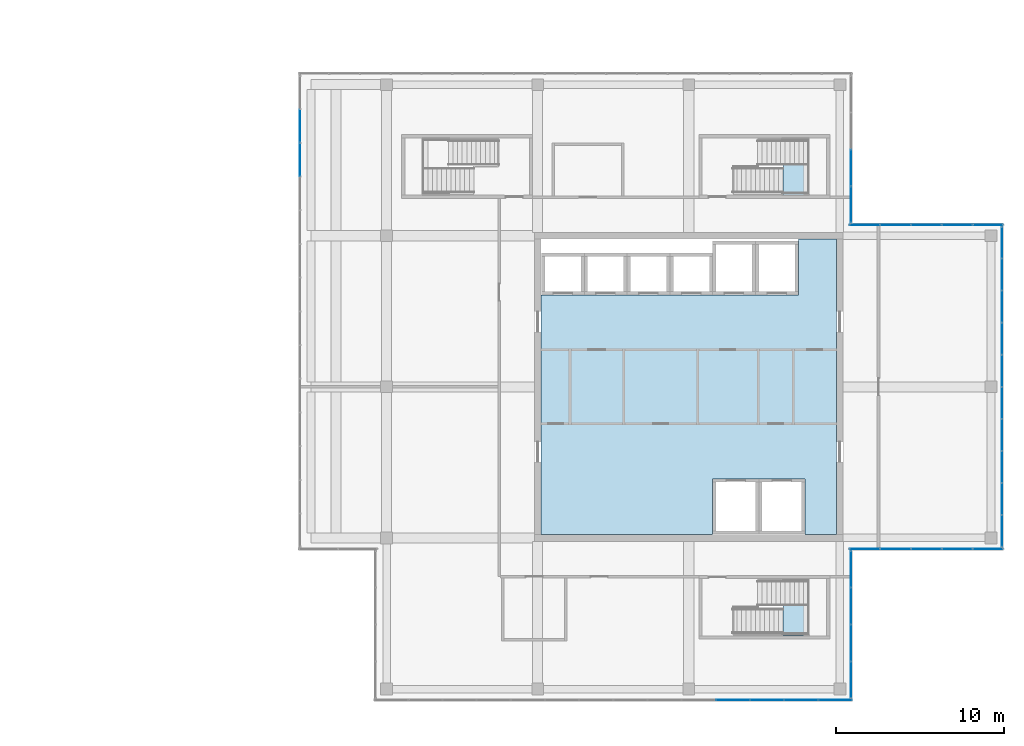
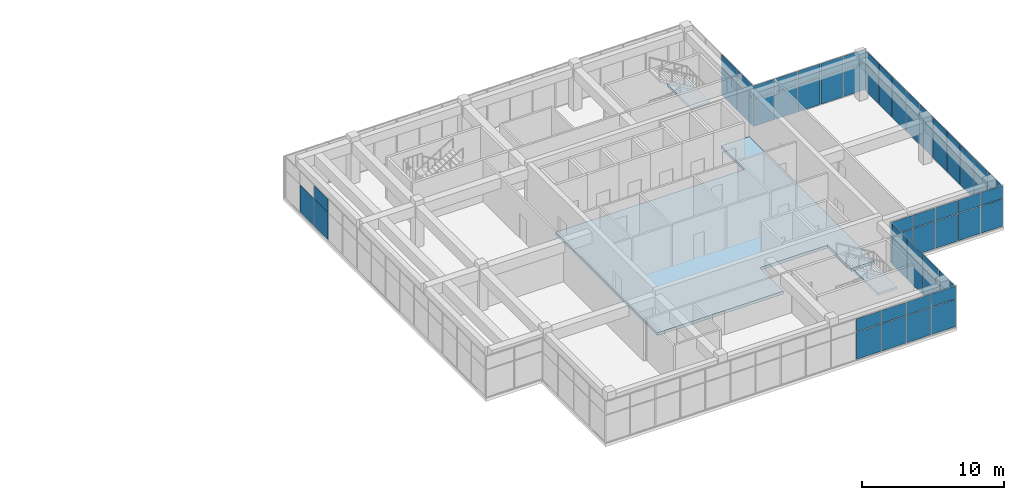
# One storey, part 27 of 32: 63 plates, 3 slabs, 9 elements without a shape of their own.
"""IFC4 building model written with IfcOpenShell, lengths in metres."""

from ifc_helpers import new_model, si_unit, direction, frame, origin, origin_2d, place, context, subcontext, project, spatial, polyline, rectangle, outline, extrude, material, layer, layer_set, type_object, element, aggregate, save


model = new_model("IFC4")

# Units and contexts
model_context = context("Model", 3, precision=1e-05, world=origin(), true_north=direction((0.0, 1.0)))
body_context = subcontext(model_context, "Body", "Model", "MODEL_VIEW")
ifc_project = project(units=[si_unit("LENGTHUNIT", "METRE"), si_unit("AREAUNIT", "SQUARE_METRE"), si_unit("VOLUMEUNIT", "CUBIC_METRE"), si_unit("PLANEANGLEUNIT", "RADIAN"), si_unit("MASSUNIT", "GRAM", prefix="KILO")], contexts=[model_context])

# Site, building, storey
site_placement = place(None, origin())
site = spatial("IfcSite", under=ifc_project, at=site_placement, CompositionType="ELEMENT")
building_placement = place(site_placement, origin())
building = spatial("IfcBuilding", under=site, at=building_placement, Name="Tuart Plaza Theatre", CompositionType="ELEMENT")
storey_placement = place(building_placement, frame((0.0, 0.0, 37.5)))
storey = spatial("IfcBuildingStorey", under=building, at=storey_placement, Name="L09", CompositionType="ELEMENT", Elevation=37.5)

# Curtain wall, plates
ifc_material_1 = material(Name="Aluminium and glass", Category="aluminium")
ifc_layer_1 = layer(ifc_material_1, 0.10009765625)
ifc_layer_set_1 = layer_set([ifc_layer_1], Name="CURTAIN WALL 2000 module")
curtain_wall_type = type_object("IfcCurtainWallType", Name="CURTAIN WALL 2000 module", PredefinedType="NOTDEFINED", material=ifc_layer_set_1)
curtain_wall_1_placement = place(storey_placement, origin())
curtain_wall_1 = element("IfcCurtainWall", 1, at=curtain_wall_1_placement, inside=storey, type_object=curtain_wall_type, Name="CW88", PredefinedType="NOTDEFINED")
ifc_material_2 = material(Name="Glass", Category="glass")
ifc_layer_2 = layer(ifc_material_2, 0.028076171875)
ifc_layer_set_2 = layer_set([ifc_layer_2], Name="CURTAIN PANEL double glazed 28")
plate_type_1 = type_object("IfcPlateType", Name="CURTAIN PANEL double glazed 28", PredefinedType="CURTAIN_PANEL", material=ifc_layer_set_2)
plate_1_placement = place(storey_placement, frame((134.625, 55.35009765625, 0.0498046875), z_axis=(0.0, 0.0, 1.0), x_axis=(1.0, 0.0, 0.0)))
plate_1 = element("IfcPlate", 2, at=plate_1_placement, type_object=plate_type_1, Name="CW88 panel 11.1", PredefinedType="CURTAIN_PANEL", context=body_context, shape_type="SweptSolid", body=[
    extrude(rectangle(XDim=1.985595703125, YDim=0.028076171875, at=origin_2d()), origin(), (0.0, 0.0, 1.0), 2.324951171875),
])
plate_2_placement = place(storey_placement, frame((134.625, 55.35009765625, 2.425048828125), z_axis=(0.0, 0.0, 1.0), x_axis=(1.0, 0.0, 0.0)))
plate_2 = element("IfcPlate", 3, at=plate_2_placement, type_object=plate_type_1, Name="CW88 panel 11.2", PredefinedType="CURTAIN_PANEL", context=body_context, shape_type="SweptSolid", body=[
    extrude(rectangle(XDim=1.985595703125, YDim=0.028076171875, at=origin_2d()), origin(), (0.0, 0.0, 1.0), 1.10498046875),
])
plate_3_placement = place(storey_placement, frame((136.66064453125, 55.35009765625, 0.0498046875), z_axis=(0.0, 0.0, 1.0), x_axis=(1.0, 0.0, 0.0)))
plate_3 = element("IfcPlate", 4, at=plate_3_placement, type_object=plate_type_1, Name="CW88 panel 12.1", PredefinedType="CURTAIN_PANEL", context=body_context, shape_type="SweptSolid", body=[
    extrude(rectangle(XDim=1.985595703125, YDim=0.028076171875, at=origin_2d()), origin(), (0.0, 0.0, 1.0), 2.324951171875),
])
plate_4_placement = place(storey_placement, frame((136.66064453125, 55.35009765625, 2.425048828125), z_axis=(0.0, 0.0, 1.0), x_axis=(1.0, 0.0, 0.0)))
plate_4 = element("IfcPlate", 5, at=plate_4_placement, type_object=plate_type_1, Name="CW88 panel 12.2", PredefinedType="CURTAIN_PANEL", context=body_context, shape_type="SweptSolid", body=[
    extrude(rectangle(XDim=1.985595703125, YDim=0.028076171875, at=origin_2d()), origin(), (0.0, 0.0, 1.0), 1.10498046875),
])
plate_5_placement = place(storey_placement, frame((138.696533203125, 55.35009765625, 0.0498046875), z_axis=(0.0, 0.0, 1.0), x_axis=(1.0, 0.0, 0.0)))
plate_5 = element("IfcPlate", 6, at=plate_5_placement, type_object=plate_type_1, Name="CW88 panel 13.1", PredefinedType="CURTAIN_PANEL", context=body_context, shape_type="SweptSolid", body=[
    extrude(rectangle(XDim=1.985595703125, YDim=0.028076171875, at=origin_2d()), origin(), (0.0, 0.0, 1.0), 2.324951171875),
])
plate_6_placement = place(storey_placement, frame((138.696533203125, 55.35009765625, 2.425048828125), z_axis=(0.0, 0.0, 1.0), x_axis=(1.0, 0.0, 0.0)))
plate_6 = element("IfcPlate", 7, at=plate_6_placement, type_object=plate_type_1, Name="CW88 panel 13.2", PredefinedType="CURTAIN_PANEL", context=body_context, shape_type="SweptSolid", body=[
    extrude(rectangle(XDim=1.985595703125, YDim=0.028076171875, at=origin_2d()), origin(), (0.0, 0.0, 1.0), 1.10498046875),
])
plate_7_placement = place(storey_placement, frame((140.7197265625, 55.35009765625, 0.0498046875), z_axis=(0.0, 0.0, 1.0), x_axis=(1.0, 0.0, 0.0)))
plate_7 = element("IfcPlate", 8, at=plate_7_placement, type_object=plate_type_1, Name="CW88 panel 14.1", PredefinedType="CURTAIN_PANEL", context=body_context, shape_type="SweptSolid", body=[
    extrude(rectangle(XDim=1.960693359375, YDim=0.028076171875, at=origin_2d()), origin(), (0.0, 0.0, 1.0), 2.324951171875),
])
plate_8_placement = place(storey_placement, frame((140.7197265625, 55.35009765625, 2.425048828125), z_axis=(0.0, 0.0, 1.0), x_axis=(1.0, 0.0, 0.0)))
plate_8 = element("IfcPlate", 9, at=plate_8_placement, type_object=plate_type_1, Name="CW88 panel 14.2", PredefinedType="CURTAIN_PANEL", context=body_context, shape_type="SweptSolid", body=[
    extrude(rectangle(XDim=1.960693359375, YDim=0.028076171875, at=origin_2d()), origin(), (0.0, 0.0, 1.0), 1.10498046875),
])
aggregate(curtain_wall_1, [plate_1, plate_2, plate_3, plate_4, plate_5, plate_6, plate_7, plate_8])

curtain_wall_2_placement = place(storey_placement, origin())
curtain_wall_2 = element("IfcCurtainWall", 10, at=curtain_wall_2_placement, inside=storey, type_object=curtain_wall_type, Name="CW90", PredefinedType="NOTDEFINED")
plate_9_placement = place(storey_placement, frame((141.64990234375, 56.5625, 0.0498046875), z_axis=(0.0, 0.0, 1.0), x_axis=(0.0, 1.0, 0.0)))
plate_9 = element("IfcPlate", 11, at=plate_9_placement, type_object=plate_type_1, Name="CW90 panel 1.1", PredefinedType="CURTAIN_PANEL", context=body_context, shape_type="SweptSolid", body=[
    extrude(rectangle(XDim=2.125, YDim=0.028076171875, at=origin_2d()), origin(), (0.0, 0.0, 1.0), 2.324951171875),
])
plate_10_placement = place(storey_placement, frame((141.64990234375, 56.5625, 2.425048828125), z_axis=(0.0, 0.0, 1.0), x_axis=(0.0, 1.0, 0.0)))
plate_10 = element("IfcPlate", 12, at=plate_10_placement, type_object=plate_type_1, Name="CW90 panel 1.2", PredefinedType="CURTAIN_PANEL", context=body_context, shape_type="SweptSolid", body=[
    extrude(rectangle(XDim=2.125, YDim=0.028076171875, at=origin_2d()), origin(), (0.0, 0.0, 1.0), 1.10498046875),
])
plate_11_placement = place(storey_placement, frame((141.64990234375, 58.75, 0.0498046875), z_axis=(0.0, 0.0, 1.0), x_axis=(0.0, 1.0, 0.0)))
plate_11 = element("IfcPlate", 13, at=plate_11_placement, type_object=plate_type_1, Name="CW90 panel 2.1", PredefinedType="CURTAIN_PANEL", context=body_context, shape_type="SweptSolid", body=[
    extrude(rectangle(XDim=2.14990234375, YDim=0.028076171875, at=origin_2d()), origin(), (0.0, 0.0, 1.0), 2.324951171875),
])
plate_12_placement = place(storey_placement, frame((141.64990234375, 58.75, 2.425048828125), z_axis=(0.0, 0.0, 1.0), x_axis=(0.0, 1.0, 0.0)))
plate_12 = element("IfcPlate", 14, at=plate_12_placement, type_object=plate_type_1, Name="CW90 panel 2.2", PredefinedType="CURTAIN_PANEL", context=body_context, shape_type="SweptSolid", body=[
    extrude(rectangle(XDim=2.14990234375, YDim=0.028076171875, at=origin_2d()), origin(), (0.0, 0.0, 1.0), 1.10498046875),
])
plate_13_placement = place(storey_placement, frame((141.64990234375, 60.949951171875, 0.0498046875), z_axis=(0.0, 0.0, 1.0), x_axis=(0.0, 1.0, 0.0)))
plate_13 = element("IfcPlate", 15, at=plate_13_placement, type_object=plate_type_1, Name="CW90 panel 3.1", PredefinedType="CURTAIN_PANEL", context=body_context, shape_type="SweptSolid", body=[
    extrude(rectangle(XDim=2.14990234375, YDim=0.028076171875, at=origin_2d()), origin(), (0.0, 0.0, 1.0), 2.324951171875),
])
plate_14_placement = place(storey_placement, frame((141.64990234375, 60.949951171875, 2.425048828125), z_axis=(0.0, 0.0, 1.0), x_axis=(0.0, 1.0, 0.0)))
plate_14 = element("IfcPlate", 16, at=plate_14_placement, type_object=plate_type_1, Name="CW90 panel 3.2", PredefinedType="CURTAIN_PANEL", context=body_context, shape_type="SweptSolid", body=[
    extrude(rectangle(XDim=2.14990234375, YDim=0.028076171875, at=origin_2d()), origin(), (0.0, 0.0, 1.0), 1.10498046875),
])
plate_15_placement = place(storey_placement, frame((141.64990234375, 63.137451171875, 0.0498046875), z_axis=(0.0, 0.0, 1.0), x_axis=(0.0, 1.0, 0.0)))
plate_15 = element("IfcPlate", 17, at=plate_15_placement, type_object=plate_type_1, Name="CW90 panel 4.1", PredefinedType="CURTAIN_PANEL", context=body_context, shape_type="SweptSolid", body=[
    extrude(rectangle(XDim=2.125, YDim=0.028076171875, at=origin_2d()), origin(), (0.0, 0.0, 1.0), 2.324951171875),
])
plate_16_placement = place(storey_placement, frame((141.64990234375, 63.137451171875, 2.425048828125), z_axis=(0.0, 0.0, 1.0), x_axis=(0.0, 1.0, 0.0)))
plate_16 = element("IfcPlate", 18, at=plate_16_placement, type_object=plate_type_1, Name="CW90 panel 4.2", PredefinedType="CURTAIN_PANEL", context=body_context, shape_type="SweptSolid", body=[
    extrude(rectangle(XDim=2.125, YDim=0.028076171875, at=origin_2d()), origin(), (0.0, 0.0, 1.0), 1.10498046875),
])
aggregate(curtain_wall_2, [plate_9, plate_10, plate_11, plate_12, plate_13, plate_14, plate_15, plate_16])

curtain_wall_3_placement = place(storey_placement, origin())
curtain_wall_3 = element("IfcCurtainWall", 19, at=curtain_wall_3_placement, inside=storey, type_object=curtain_wall_type, Name="CW91", PredefinedType="NOTDEFINED")
plate_17_placement = place(storey_placement, frame((144.31005859375, 64.35009765625, 0.0498046875), z_axis=(0.0, 0.0, 1.0), x_axis=(1.0, 0.0, 0.0)))
plate_17 = element("IfcPlate", 20, at=plate_17_placement, type_object=plate_type_1, Name="CW91 panel 2.1", PredefinedType="CURTAIN_PANEL", context=body_context, shape_type="SweptSolid", body=[
    extrude(rectangle(XDim=1.7900390625, YDim=0.028076171875, at=origin_2d()), origin(), (0.0, 0.0, 1.0), 2.324951171875),
])
plate_18_placement = place(storey_placement, frame((144.31005859375, 64.35009765625, 2.425048828125), z_axis=(0.0, 0.0, 1.0), x_axis=(1.0, 0.0, 0.0)))
plate_18 = element("IfcPlate", 21, at=plate_18_placement, type_object=plate_type_1, Name="CW91 panel 2.2", PredefinedType="CURTAIN_PANEL", context=body_context, shape_type="SweptSolid", body=[
    extrude(rectangle(XDim=1.7900390625, YDim=0.028076171875, at=origin_2d()), origin(), (0.0, 0.0, 1.0), 1.10498046875),
])
plate_19_placement = place(storey_placement, frame((146.14990234375, 64.35009765625, 0.0498046875), z_axis=(0.0, 0.0, 1.0), x_axis=(1.0, 0.0, 0.0)))
plate_19 = element("IfcPlate", 22, at=plate_19_placement, type_object=plate_type_1, Name="CW91 panel 3.1", PredefinedType="CURTAIN_PANEL", context=body_context, shape_type="SweptSolid", body=[
    extrude(rectangle(XDim=1.7900390625, YDim=0.028076171875, at=origin_2d()), origin(), (0.0, 0.0, 1.0), 2.324951171875),
])
plate_20_placement = place(storey_placement, frame((146.14990234375, 64.35009765625, 2.425048828125), z_axis=(0.0, 0.0, 1.0), x_axis=(1.0, 0.0, 0.0)))
plate_20 = element("IfcPlate", 23, at=plate_20_placement, type_object=plate_type_1, Name="CW91 panel 3.2", PredefinedType="CURTAIN_PANEL", context=body_context, shape_type="SweptSolid", body=[
    extrude(rectangle(XDim=1.7900390625, YDim=0.028076171875, at=origin_2d()), origin(), (0.0, 0.0, 1.0), 1.10498046875),
])
plate_21_placement = place(storey_placement, frame((147.989990234375, 64.35009765625, 0.0498046875), z_axis=(0.0, 0.0, 1.0), x_axis=(1.0, 0.0, 0.0)))
plate_21 = element("IfcPlate", 24, at=plate_21_placement, type_object=plate_type_1, Name="CW91 panel 4.1", PredefinedType="CURTAIN_PANEL", context=body_context, shape_type="SweptSolid", body=[
    extrude(rectangle(XDim=1.7900390625, YDim=0.028076171875, at=origin_2d()), origin(), (0.0, 0.0, 1.0), 2.324951171875),
])
plate_22_placement = place(storey_placement, frame((147.989990234375, 64.35009765625, 2.425048828125), z_axis=(0.0, 0.0, 1.0), x_axis=(1.0, 0.0, 0.0)))
plate_22 = element("IfcPlate", 25, at=plate_22_placement, type_object=plate_type_1, Name="CW91 panel 4.2", PredefinedType="CURTAIN_PANEL", context=body_context, shape_type="SweptSolid", body=[
    extrude(rectangle(XDim=1.7900390625, YDim=0.028076171875, at=origin_2d()), origin(), (0.0, 0.0, 1.0), 1.10498046875),
])
plate_23_placement = place(storey_placement, frame((149.8173828125, 64.35009765625, 0.0498046875), z_axis=(0.0, 0.0, 1.0), x_axis=(1.0, 0.0, 0.0)))
plate_23 = element("IfcPlate", 26, at=plate_23_placement, type_object=plate_type_1, Name="CW91 panel 5.1", PredefinedType="CURTAIN_PANEL", context=body_context, shape_type="SweptSolid", body=[
    extrude(rectangle(XDim=1.764892578125, YDim=0.028076171875, at=origin_2d()), origin(), (0.0, 0.0, 1.0), 2.324951171875),
])
plate_24_placement = place(storey_placement, frame((149.8173828125, 64.35009765625, 2.425048828125), z_axis=(0.0, 0.0, 1.0), x_axis=(1.0, 0.0, 0.0)))
plate_24 = element("IfcPlate", 27, at=plate_24_placement, type_object=plate_type_1, Name="CW91 panel 5.2", PredefinedType="CURTAIN_PANEL", context=body_context, shape_type="SweptSolid", body=[
    extrude(rectangle(XDim=1.764892578125, YDim=0.028076171875, at=origin_2d()), origin(), (0.0, 0.0, 1.0), 1.10498046875),
])

curtain_wall_4_placement = place(storey_placement, origin())
curtain_wall_4 = element("IfcCurtainWall", 28, at=curtain_wall_4_placement, inside=storey, type_object=curtain_wall_type, Name="CW92", PredefinedType="NOTDEFINED")
plate_25_placement = place(storey_placement, frame((150.64990234375, 65.41748046875, 0.0498046875), z_axis=(0.0, 0.0, 1.0), x_axis=(0.0, 1.0, 0.0)))
plate_25 = element("IfcPlate", 29, at=plate_25_placement, type_object=plate_type_1, Name="CW92 panel 1.1", PredefinedType="CURTAIN_PANEL", context=body_context, shape_type="SweptSolid", body=[
    extrude(rectangle(XDim=1.8349609375, YDim=0.028076171875, at=origin_2d()), origin(), (0.0, 0.0, 1.0), 2.324951171875),
])
plate_26_placement = place(storey_placement, frame((150.64990234375, 65.41748046875, 2.425048828125), z_axis=(0.0, 0.0, 1.0), x_axis=(0.0, 1.0, 0.0)))
plate_26 = element("IfcPlate", 30, at=plate_26_placement, type_object=plate_type_1, Name="CW92 panel 1.2", PredefinedType="CURTAIN_PANEL", context=body_context, shape_type="SweptSolid", body=[
    extrude(rectangle(XDim=1.8349609375, YDim=0.028076171875, at=origin_2d()), origin(), (0.0, 0.0, 1.0), 1.10498046875),
])
plate_27_placement = place(storey_placement, frame((150.64990234375, 67.31494140625, 0.0498046875), z_axis=(0.0, 0.0, 1.0), x_axis=(0.0, 1.0, 0.0)))
plate_27 = element("IfcPlate", 31, at=plate_27_placement, type_object=plate_type_1, Name="CW92 panel 2.1", PredefinedType="CURTAIN_PANEL", context=body_context, shape_type="SweptSolid", body=[
    extrude(rectangle(XDim=1.860107421875, YDim=0.028076171875, at=origin_2d()), origin(), (0.0, 0.0, 1.0), 2.324951171875),
])
plate_28_placement = place(storey_placement, frame((150.64990234375, 67.31494140625, 2.425048828125), z_axis=(0.0, 0.0, 1.0), x_axis=(0.0, 1.0, 0.0)))
plate_28 = element("IfcPlate", 32, at=plate_28_placement, type_object=plate_type_1, Name="CW92 panel 2.2", PredefinedType="CURTAIN_PANEL", context=body_context, shape_type="SweptSolid", body=[
    extrude(rectangle(XDim=1.860107421875, YDim=0.028076171875, at=origin_2d()), origin(), (0.0, 0.0, 1.0), 1.10498046875),
])
plate_29_placement = place(storey_placement, frame((150.64990234375, 69.22509765625, 0.0498046875), z_axis=(0.0, 0.0, 1.0), x_axis=(0.0, 1.0, 0.0)))
plate_29 = element("IfcPlate", 33, at=plate_29_placement, type_object=plate_type_1, Name="CW92 panel 3.1", PredefinedType="CURTAIN_PANEL", context=body_context, shape_type="SweptSolid", body=[
    extrude(rectangle(XDim=1.860107421875, YDim=0.028076171875, at=origin_2d()), origin(), (0.0, 0.0, 1.0), 2.324951171875),
])
plate_30_placement = place(storey_placement, frame((150.64990234375, 69.22509765625, 2.425048828125), z_axis=(0.0, 0.0, 1.0), x_axis=(0.0, 1.0, 0.0)))
plate_30 = element("IfcPlate", 34, at=plate_30_placement, type_object=plate_type_1, Name="CW92 panel 3.2", PredefinedType="CURTAIN_PANEL", context=body_context, shape_type="SweptSolid", body=[
    extrude(rectangle(XDim=1.860107421875, YDim=0.028076171875, at=origin_2d()), origin(), (0.0, 0.0, 1.0), 1.10498046875),
])
plate_31_placement = place(storey_placement, frame((150.64990234375, 71.135009765625, 0.0498046875), z_axis=(0.0, 0.0, 1.0), x_axis=(0.0, 1.0, 0.0)))
plate_31 = element("IfcPlate", 35, at=plate_31_placement, type_object=plate_type_1, Name="CW92 panel 4.1", PredefinedType="CURTAIN_PANEL", context=body_context, shape_type="SweptSolid", body=[
    extrude(rectangle(XDim=1.860107421875, YDim=0.028076171875, at=origin_2d()), origin(), (0.0, 0.0, 1.0), 2.324951171875),
])
plate_32_placement = place(storey_placement, frame((150.64990234375, 71.135009765625, 2.425048828125), z_axis=(0.0, 0.0, 1.0), x_axis=(0.0, 1.0, 0.0)))
plate_32 = element("IfcPlate", 36, at=plate_32_placement, type_object=plate_type_1, Name="CW92 panel 4.2", PredefinedType="CURTAIN_PANEL", context=body_context, shape_type="SweptSolid", body=[
    extrude(rectangle(XDim=1.860107421875, YDim=0.028076171875, at=origin_2d()), origin(), (0.0, 0.0, 1.0), 1.10498046875),
])
plate_33_placement = place(storey_placement, frame((150.64990234375, 73.044921875, 0.0498046875), z_axis=(0.0, 0.0, 1.0), x_axis=(0.0, 1.0, 0.0)))
plate_33 = element("IfcPlate", 37, at=plate_33_placement, type_object=plate_type_1, Name="CW92 panel 5.1", PredefinedType="CURTAIN_PANEL", context=body_context, shape_type="SweptSolid", body=[
    extrude(rectangle(XDim=1.860107421875, YDim=0.028076171875, at=origin_2d()), origin(), (0.0, 0.0, 1.0), 2.324951171875),
])
plate_34_placement = place(storey_placement, frame((150.64990234375, 73.044921875, 2.425048828125), z_axis=(0.0, 0.0, 1.0), x_axis=(0.0, 1.0, 0.0)))
plate_34 = element("IfcPlate", 38, at=plate_34_placement, type_object=plate_type_1, Name="CW92 panel 5.2", PredefinedType="CURTAIN_PANEL", context=body_context, shape_type="SweptSolid", body=[
    extrude(rectangle(XDim=1.860107421875, YDim=0.028076171875, at=origin_2d()), origin(), (0.0, 0.0, 1.0), 1.10498046875),
])
plate_35_placement = place(storey_placement, frame((150.64990234375, 74.955078125, 0.0498046875), z_axis=(0.0, 0.0, 1.0), x_axis=(0.0, 1.0, 0.0)))
plate_35 = element("IfcPlate", 39, at=plate_35_placement, type_object=plate_type_1, Name="CW92 panel 6.1", PredefinedType="CURTAIN_PANEL", context=body_context, shape_type="SweptSolid", body=[
    extrude(rectangle(XDim=1.860107421875, YDim=0.028076171875, at=origin_2d()), origin(), (0.0, 0.0, 1.0), 2.324951171875),
])
plate_36_placement = place(storey_placement, frame((150.64990234375, 74.955078125, 2.425048828125), z_axis=(0.0, 0.0, 1.0), x_axis=(0.0, 1.0, 0.0)))
plate_36 = element("IfcPlate", 40, at=plate_36_placement, type_object=plate_type_1, Name="CW92 panel 6.2", PredefinedType="CURTAIN_PANEL", context=body_context, shape_type="SweptSolid", body=[
    extrude(rectangle(XDim=1.860107421875, YDim=0.028076171875, at=origin_2d()), origin(), (0.0, 0.0, 1.0), 1.10498046875),
])
plate_37_placement = place(storey_placement, frame((150.64990234375, 76.864990234375, 0.0498046875), z_axis=(0.0, 0.0, 1.0), x_axis=(0.0, 1.0, 0.0)))
plate_37 = element("IfcPlate", 41, at=plate_37_placement, type_object=plate_type_1, Name="CW92 panel 7.1", PredefinedType="CURTAIN_PANEL", context=body_context, shape_type="SweptSolid", body=[
    extrude(rectangle(XDim=1.860107421875, YDim=0.028076171875, at=origin_2d()), origin(), (0.0, 0.0, 1.0), 2.324951171875),
])
plate_38_placement = place(storey_placement, frame((150.64990234375, 76.864990234375, 2.425048828125), z_axis=(0.0, 0.0, 1.0), x_axis=(0.0, 1.0, 0.0)))
plate_38 = element("IfcPlate", 42, at=plate_38_placement, type_object=plate_type_1, Name="CW92 panel 7.2", PredefinedType="CURTAIN_PANEL", context=body_context, shape_type="SweptSolid", body=[
    extrude(rectangle(XDim=1.860107421875, YDim=0.028076171875, at=origin_2d()), origin(), (0.0, 0.0, 1.0), 1.10498046875),
])
plate_39_placement = place(storey_placement, frame((150.64990234375, 78.77490234375, 0.0498046875), z_axis=(0.0, 0.0, 1.0), x_axis=(0.0, 1.0, 0.0)))
plate_39 = element("IfcPlate", 43, at=plate_39_placement, type_object=plate_type_1, Name="CW92 panel 8.1", PredefinedType="CURTAIN_PANEL", context=body_context, shape_type="SweptSolid", body=[
    extrude(rectangle(XDim=1.860107421875, YDim=0.028076171875, at=origin_2d()), origin(), (0.0, 0.0, 1.0), 2.324951171875),
])
plate_40_placement = place(storey_placement, frame((150.64990234375, 78.77490234375, 2.425048828125), z_axis=(0.0, 0.0, 1.0), x_axis=(0.0, 1.0, 0.0)))
plate_40 = element("IfcPlate", 44, at=plate_40_placement, type_object=plate_type_1, Name="CW92 panel 8.2", PredefinedType="CURTAIN_PANEL", context=body_context, shape_type="SweptSolid", body=[
    extrude(rectangle(XDim=1.860107421875, YDim=0.028076171875, at=origin_2d()), origin(), (0.0, 0.0, 1.0), 1.10498046875),
])
plate_41_placement = place(storey_placement, frame((150.64990234375, 80.68505859375, 0.0498046875), z_axis=(0.0, 0.0, 1.0), x_axis=(0.0, 1.0, 0.0)))
plate_41 = element("IfcPlate", 45, at=plate_41_placement, type_object=plate_type_1, Name="CW92 panel 9.1", PredefinedType="CURTAIN_PANEL", context=body_context, shape_type="SweptSolid", body=[
    extrude(rectangle(XDim=1.860107421875, YDim=0.028076171875, at=origin_2d()), origin(), (0.0, 0.0, 1.0), 2.324951171875),
])
plate_42_placement = place(storey_placement, frame((150.64990234375, 80.68505859375, 2.425048828125), z_axis=(0.0, 0.0, 1.0), x_axis=(0.0, 1.0, 0.0)))
plate_42 = element("IfcPlate", 46, at=plate_42_placement, type_object=plate_type_1, Name="CW92 panel 9.2", PredefinedType="CURTAIN_PANEL", context=body_context, shape_type="SweptSolid", body=[
    extrude(rectangle(XDim=1.860107421875, YDim=0.028076171875, at=origin_2d()), origin(), (0.0, 0.0, 1.0), 1.10498046875),
])
plate_43_placement = place(storey_placement, frame((150.64990234375, 82.58251953125, 0.0498046875), z_axis=(0.0, 0.0, 1.0), x_axis=(0.0, 1.0, 0.0)))
plate_43 = element("IfcPlate", 47, at=plate_43_placement, type_object=plate_type_1, Name="CW92 panel 10.1", PredefinedType="CURTAIN_PANEL", context=body_context, shape_type="SweptSolid", body=[
    extrude(rectangle(XDim=1.8349609375, YDim=0.028076171875, at=origin_2d()), origin(), (0.0, 0.0, 1.0), 2.324951171875),
])
plate_44_placement = place(storey_placement, frame((150.64990234375, 82.58251953125, 2.425048828125), z_axis=(0.0, 0.0, 1.0), x_axis=(0.0, 1.0, 0.0)))
plate_44 = element("IfcPlate", 48, at=plate_44_placement, type_object=plate_type_1, Name="CW92 panel 10.2", PredefinedType="CURTAIN_PANEL", context=body_context, shape_type="SweptSolid", body=[
    extrude(rectangle(XDim=1.8349609375, YDim=0.028076171875, at=origin_2d()), origin(), (0.0, 0.0, 1.0), 1.10498046875),
])
aggregate(curtain_wall_4, [plate_25, plate_26, plate_27, plate_28, plate_29, plate_30, plate_31, plate_32, plate_33, plate_34, plate_35, plate_36, plate_37, plate_38, plate_39, plate_40, plate_41, plate_42, plate_43, plate_44])

curtain_wall_5_placement = place(storey_placement, origin())
curtain_wall_5 = element("IfcCurtainWall", 49, at=curtain_wall_5_placement, inside=storey, type_object=curtain_wall_type, Name="CW93", PredefinedType="NOTDEFINED")
plate_45_placement = place(storey_placement, frame((149.8173828125, 83.64990234375, 0.0498046875), z_axis=(0.0, 0.0, 1.0), x_axis=(-1.0, 0.0, 0.0)))
plate_45 = element("IfcPlate", 50, at=plate_45_placement, type_object=plate_type_1, Name="CW93 panel 1.1", PredefinedType="CURTAIN_PANEL", context=body_context, shape_type="SweptSolid", body=[
    extrude(rectangle(XDim=1.764892578125, YDim=0.028076171875, at=origin_2d()), origin(), (0.0, 0.0, 1.0), 2.324951171875),
])
plate_46_placement = place(storey_placement, frame((149.8173828125, 83.64990234375, 2.425048828125), z_axis=(0.0, 0.0, 1.0), x_axis=(-1.0, 0.0, 0.0)))
plate_46 = element("IfcPlate", 51, at=plate_46_placement, type_object=plate_type_1, Name="CW93 panel 1.2", PredefinedType="CURTAIN_PANEL", context=body_context, shape_type="SweptSolid", body=[
    extrude(rectangle(XDim=1.764892578125, YDim=0.028076171875, at=origin_2d()), origin(), (0.0, 0.0, 1.0), 1.10498046875),
])
plate_47_placement = place(storey_placement, frame((147.989990234375, 83.64990234375, 0.0498046875), z_axis=(0.0, 0.0, 1.0), x_axis=(-1.0, 0.0, 0.0)))
plate_47 = element("IfcPlate", 52, at=plate_47_placement, type_object=plate_type_1, Name="CW93 panel 2.1", PredefinedType="CURTAIN_PANEL", context=body_context, shape_type="SweptSolid", body=[
    extrude(rectangle(XDim=1.7900390625, YDim=0.028076171875, at=origin_2d()), origin(), (0.0, 0.0, 1.0), 2.324951171875),
])
plate_48_placement = place(storey_placement, frame((147.989990234375, 83.64990234375, 2.425048828125), z_axis=(0.0, 0.0, 1.0), x_axis=(-1.0, 0.0, 0.0)))
plate_48 = element("IfcPlate", 53, at=plate_48_placement, type_object=plate_type_1, Name="CW93 panel 2.2", PredefinedType="CURTAIN_PANEL", context=body_context, shape_type="SweptSolid", body=[
    extrude(rectangle(XDim=1.7900390625, YDim=0.028076171875, at=origin_2d()), origin(), (0.0, 0.0, 1.0), 1.10498046875),
])
plate_49_placement = place(storey_placement, frame((146.14990234375, 83.64990234375, 0.0498046875), z_axis=(0.0, 0.0, 1.0), x_axis=(-1.0, 0.0, 0.0)))
plate_49 = element("IfcPlate", 54, at=plate_49_placement, type_object=plate_type_1, Name="CW93 panel 3.1", PredefinedType="CURTAIN_PANEL", context=body_context, shape_type="SweptSolid", body=[
    extrude(rectangle(XDim=1.7900390625, YDim=0.028076171875, at=origin_2d()), origin(), (0.0, 0.0, 1.0), 2.324951171875),
])
plate_50_placement = place(storey_placement, frame((146.14990234375, 83.64990234375, 2.425048828125), z_axis=(0.0, 0.0, 1.0), x_axis=(-1.0, 0.0, 0.0)))
plate_50 = element("IfcPlate", 55, at=plate_50_placement, type_object=plate_type_1, Name="CW93 panel 3.2", PredefinedType="CURTAIN_PANEL", context=body_context, shape_type="SweptSolid", body=[
    extrude(rectangle(XDim=1.7900390625, YDim=0.028076171875, at=origin_2d()), origin(), (0.0, 0.0, 1.0), 1.10498046875),
])
plate_51_placement = place(storey_placement, frame((144.31005859375, 83.64990234375, 0.0498046875), z_axis=(0.0, 0.0, 1.0), x_axis=(-1.0, 0.0, 0.0)))
plate_51 = element("IfcPlate", 56, at=plate_51_placement, type_object=plate_type_1, Name="CW93 panel 4.1", PredefinedType="CURTAIN_PANEL", context=body_context, shape_type="SweptSolid", body=[
    extrude(rectangle(XDim=1.7900390625, YDim=0.028076171875, at=origin_2d()), origin(), (0.0, 0.0, 1.0), 2.324951171875),
])
plate_52_placement = place(storey_placement, frame((144.31005859375, 83.64990234375, 2.425048828125), z_axis=(0.0, 0.0, 1.0), x_axis=(-1.0, 0.0, 0.0)))
plate_52 = element("IfcPlate", 57, at=plate_52_placement, type_object=plate_type_1, Name="CW93 panel 4.2", PredefinedType="CURTAIN_PANEL", context=body_context, shape_type="SweptSolid", body=[
    extrude(rectangle(XDim=1.7900390625, YDim=0.028076171875, at=origin_2d()), origin(), (0.0, 0.0, 1.0), 1.10498046875),
])
plate_53_placement = place(storey_placement, frame((142.482421875, 83.64990234375, 0.0498046875), z_axis=(0.0, 0.0, 1.0), x_axis=(-1.0, 0.0, 0.0)))
plate_53 = element("IfcPlate", 58, at=plate_53_placement, type_object=plate_type_1, Name="CW93 panel 5.1", PredefinedType="CURTAIN_PANEL", context=body_context, shape_type="SweptSolid", body=[
    extrude(rectangle(XDim=1.764892578125, YDim=0.028076171875, at=origin_2d()), origin(), (0.0, 0.0, 1.0), 2.324951171875),
])
plate_54_placement = place(storey_placement, frame((142.482421875, 83.64990234375, 2.425048828125), z_axis=(0.0, 0.0, 1.0), x_axis=(-1.0, 0.0, 0.0)))
plate_54 = element("IfcPlate", 59, at=plate_54_placement, type_object=plate_type_1, Name="CW93 panel 5.2", PredefinedType="CURTAIN_PANEL", context=body_context, shape_type="SweptSolid", body=[
    extrude(rectangle(XDim=1.764892578125, YDim=0.028076171875, at=origin_2d()), origin(), (0.0, 0.0, 1.0), 1.10498046875),
])
aggregate(curtain_wall_5, [plate_45, plate_46, plate_47, plate_48, plate_49, plate_50, plate_51, plate_52, plate_53, plate_54])

curtain_wall_6_placement = place(storey_placement, origin())
curtain_wall_6 = element("IfcCurtainWall", 60, at=curtain_wall_6_placement, inside=storey, type_object=curtain_wall_type, Name="CW94", PredefinedType="NOTDEFINED")
plate_55_placement = place(storey_placement, frame((141.64990234375, 84.862548828125, 0.0498046875), z_axis=(0.0, 0.0, 1.0), x_axis=(0.0, 1.0, 0.0)))
plate_55 = element("IfcPlate", 61, at=plate_55_placement, type_object=plate_type_1, Name="CW94 panel 1.1", PredefinedType="CURTAIN_PANEL", context=body_context, shape_type="SweptSolid", body=[
    extrude(rectangle(XDim=2.125, YDim=0.028076171875, at=origin_2d()), origin(), (0.0, 0.0, 1.0), 2.324951171875),
])
plate_56_placement = place(storey_placement, frame((141.64990234375, 84.862548828125, 2.425048828125), z_axis=(0.0, 0.0, 1.0), x_axis=(0.0, 1.0, 0.0)))
plate_56 = element("IfcPlate", 62, at=plate_56_placement, type_object=plate_type_1, Name="CW94 panel 1.2", PredefinedType="CURTAIN_PANEL", context=body_context, shape_type="SweptSolid", body=[
    extrude(rectangle(XDim=2.125, YDim=0.028076171875, at=origin_2d()), origin(), (0.0, 0.0, 1.0), 1.10498046875),
])
plate_57_placement = place(storey_placement, frame((141.64990234375, 87.050048828125, 0.0498046875), z_axis=(0.0, 0.0, 1.0), x_axis=(0.0, 1.0, 0.0)))
plate_57 = element("IfcPlate", 63, at=plate_57_placement, type_object=plate_type_1, Name="CW94 panel 2.1", PredefinedType="CURTAIN_PANEL", context=body_context, shape_type="SweptSolid", body=[
    extrude(rectangle(XDim=2.14990234375, YDim=0.028076171875, at=origin_2d()), origin(), (0.0, 0.0, 1.0), 2.324951171875),
])
plate_58_placement = place(storey_placement, frame((141.64990234375, 87.050048828125, 2.425048828125), z_axis=(0.0, 0.0, 1.0), x_axis=(0.0, 1.0, 0.0)))
plate_58 = element("IfcPlate", 64, at=plate_58_placement, type_object=plate_type_1, Name="CW94 panel 2.2", PredefinedType="CURTAIN_PANEL", context=body_context, shape_type="SweptSolid", body=[
    extrude(rectangle(XDim=2.14990234375, YDim=0.028076171875, at=origin_2d()), origin(), (0.0, 0.0, 1.0), 1.10498046875),
])
aggregate(curtain_wall_6, [plate_55, plate_56, plate_57, plate_58])

curtain_wall_7_placement = place(storey_placement, origin())
curtain_wall_7 = element("IfcCurtainWall", 65, at=curtain_wall_7_placement, inside=storey, type_object=curtain_wall_type, Name="CW97", PredefinedType="NOTDEFINED")
plate_59_placement = place(storey_placement, frame((108.85009765625, 89.539306640625, 0.0498046875), z_axis=(0.0, 0.0, 1.0), x_axis=(0.0, -1.0, 0.0)))
plate_59 = element("IfcPlate", 66, at=plate_59_placement, type_object=plate_type_1, Name="CW97 panel 2.1", PredefinedType="CURTAIN_PANEL", context=body_context, shape_type="SweptSolid", body=[
    extrude(rectangle(XDim=1.95703125, YDim=0.028076171875, at=origin_2d()), origin(), (0.0, 0.0, 1.0), 2.324951171875),
])
plate_60_placement = place(storey_placement, frame((108.85009765625, 87.5322265625, 0.0498046875), z_axis=(0.0, 0.0, 1.0), x_axis=(0.0, -1.0, 0.0)))
plate_60 = element("IfcPlate", 67, at=plate_60_placement, type_object=plate_type_1, Name="CW97 panel 3.1", PredefinedType="CURTAIN_PANEL", context=body_context, shape_type="SweptSolid", body=[
    extrude(rectangle(XDim=1.95703125, YDim=0.028076171875, at=origin_2d()), origin(), (0.0, 0.0, 1.0), 2.324951171875),
])
plate_61_placement = place(storey_placement, frame((108.85009765625, 87.5322265625, 2.425048828125), z_axis=(0.0, 0.0, 1.0), x_axis=(0.0, -1.0, 0.0)))
plate_61 = element("IfcPlate", 68, at=plate_61_placement, type_object=plate_type_1, Name="CW97 panel 3.2", PredefinedType="CURTAIN_PANEL", context=body_context, shape_type="SweptSolid", body=[
    extrude(rectangle(XDim=1.95703125, YDim=0.028076171875, at=origin_2d()), origin(), (0.0, 0.0, 1.0), 1.10498046875),
])
aggregate(curtain_wall_7, [plate_59, plate_60, plate_61])

# Plate
ifc_material_3 = material(Name="Zinc")
ifc_layer_3 = layer(ifc_material_3, 0.028076171875)
ifc_layer_set_3 = layer_set([ifc_layer_3], Name="CURTAIN PANEL zinc 28")
plate_type_2 = type_object("IfcPlateType", Name="CURTAIN PANEL zinc 28", PredefinedType="CURTAIN_PANEL", material=ifc_layer_set_3)
plate_62_placement = place(storey_placement, frame((142.482421875, 64.35009765625, 0.0498046875), z_axis=(0.0, 0.0, 1.0), x_axis=(1.0, 0.0, 0.0)))
plate_62 = element("IfcPlate", 69, at=plate_62_placement, type_object=plate_type_2, Name="CW91 zinc panel 1.1", PredefinedType="CURTAIN_PANEL", context=body_context, shape_type="SweptSolid", body=[
    extrude(rectangle(XDim=1.764892578125, YDim=0.028076171875, at=origin_2d()), origin(), (0.0, 0.0, 1.0), 2.324951171875),
])

plate_63_placement = place(storey_placement, frame((142.482421875, 64.35009765625, 2.425048828125), z_axis=(0.0, 0.0, 1.0), x_axis=(1.0, 0.0, 0.0)))
plate_63 = element("IfcPlate", 70, at=plate_63_placement, type_object=plate_type_2, Name="CW91 zinc panel 1.2", PredefinedType="CURTAIN_PANEL", context=body_context, shape_type="SweptSolid", body=[
    extrude(rectangle(XDim=1.764892578125, YDim=0.028076171875, at=origin_2d()), origin(), (0.0, 0.0, 1.0), 1.10498046875),
])

aggregate(curtain_wall_3, [plate_62, plate_63, plate_17, plate_18, plate_19, plate_20, plate_21, plate_22, plate_23, plate_24])

# Slab
ifc_material_4 = material(Name="Concrete N40 (40 MPa)", Category="concrete")
ifc_layer_4 = layer(ifc_material_4, 0.25)
ifc_layer_set_4 = layer_set([ifc_layer_4], Name="SLAB Floor 250 Concrete N40 (40 MPa)")
slab_type_1 = type_object("IfcSlabType", Name="SLAB Floor 250 Concrete N40 (40 MPa)", PredefinedType="FLOOR", material=ifc_layer_set_4)
slab_1_placement = place(storey_placement, frame((0.0, 0.0, -0.25)))
element("IfcSlab", 71, at=slab_1_placement, inside=storey, type_object=slab_type_1, Name="S92", PredefinedType="FLOOR", context=body_context, shape_type="SweptSolid", body=[
    extrude(outline(polyline([(123.199951171875, 65.199951171875), (133.425048828125, 65.199951171875), (133.425048828125, 68.52490234375), (138.925048828125, 68.52490234375), (138.925048828125, 65.199951171875), (140.800048828125, 65.199951171875), (140.800048828125, 82.800048828125), (138.52490234375, 82.800048828125), (138.52490234375, 79.47509765625), (123.199951171875, 79.47509765625), (123.199951171875, 65.199951171875)])), origin(), (0.0, 0.0, 1.0), 0.25),
])

# Stair, slab
ifc_material_5 = material(Name="Concrete N40 (40 MPa)", Category="concrete")
stair_type = type_object("IfcStairType", Name="STAIR half turn 1500", PredefinedType="HALF_TURN_STAIR", material=ifc_material_5)
stair_1_placement = place(storey_placement, origin())
stair_1 = element("IfcStair", 72, at=stair_1_placement, inside=storey, type_object=stair_type, Name="SC-4", PredefinedType="HALF_TURN_STAIR")
ifc_material_6 = material(Name="Concrete N40 (40 MPa)", Category="concrete")
ifc_layer_5 = layer(ifc_material_6, 0.199951171875)
ifc_layer_set_5 = layer_set([ifc_layer_5], Name="STAIR LANDING 200")
slab_type_2 = type_object("IfcSlabType", Name="STAIR LANDING 200", PredefinedType="LANDING", material=ifc_layer_set_5)
slab_2_placement = place(storey_placement, frame((0.0, 0.0, 1.800048828125)))
slab_2 = element("IfcSlab", 73, at=slab_2_placement, type_object=slab_type_2, Name="SC-4 landing 1", PredefinedType="LANDING", context=body_context, shape_type="SweptSolid", body=[
    extrude(outline(polyline([(137.60009765625, 59.177001953125), (139.1298828125, 59.177001953125), (139.1298828125, 62.572998046875), (137.60009765625, 62.572998046875), (137.60009765625, 59.177001953125)])), origin(), (0.0, 0.0, 1.0), 0.199951171875),
])
aggregate(stair_1, [slab_2])

stair_2_placement = place(storey_placement, origin())
stair_2 = element("IfcStair", 74, at=stair_2_placement, inside=storey, type_object=stair_type, Name="SC-10", PredefinedType="HALF_TURN_STAIR")
slab_3_placement = place(storey_placement, frame((0.0, 0.0, 1.800048828125)))
slab_3 = element("IfcSlab", 75, at=slab_3_placement, type_object=slab_type_2, Name="SC-10 landing 1", PredefinedType="LANDING", context=body_context, shape_type="SweptSolid", body=[
    extrude(outline(polyline([(137.60009765625, 85.427001953125), (139.1298828125, 85.427001953125), (139.1298828125, 88.822998046875), (137.60009765625, 88.822998046875), (137.60009765625, 85.427001953125)])), origin(), (0.0, 0.0, 1.0), 0.199951171875),
])
aggregate(stair_2, [slab_3])

save(model, "model.ifc")
